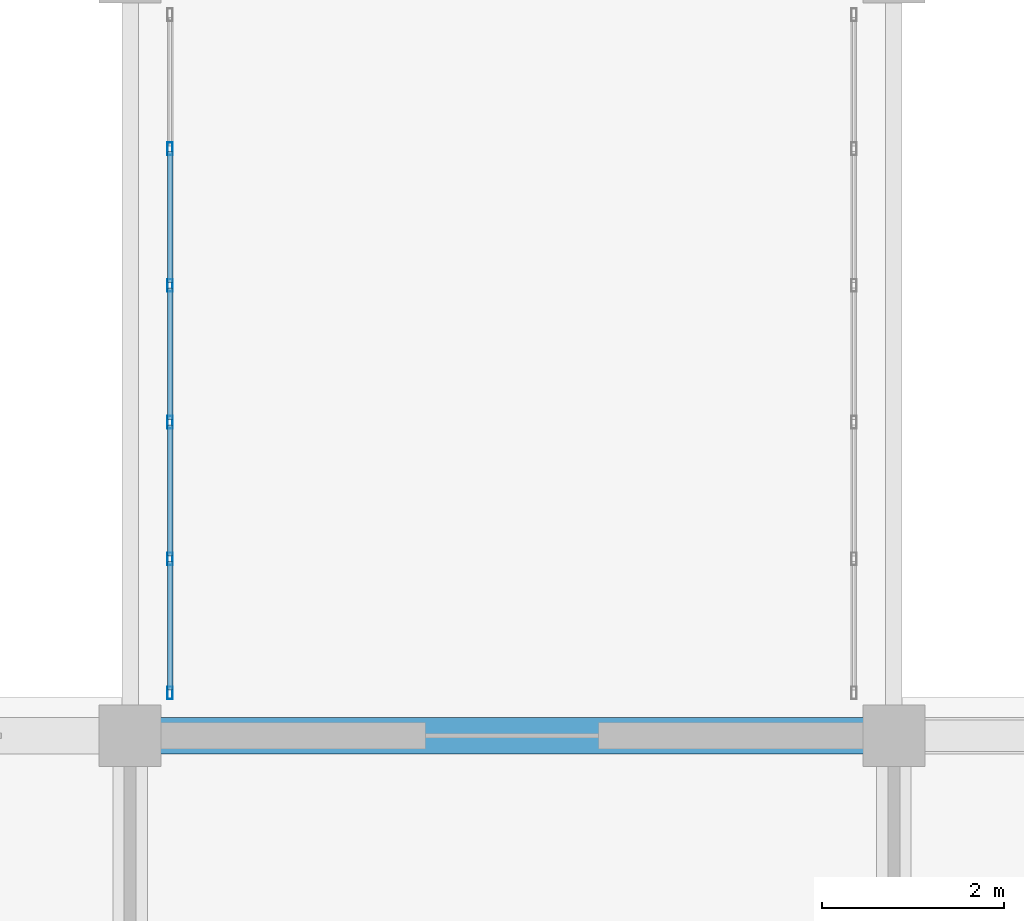
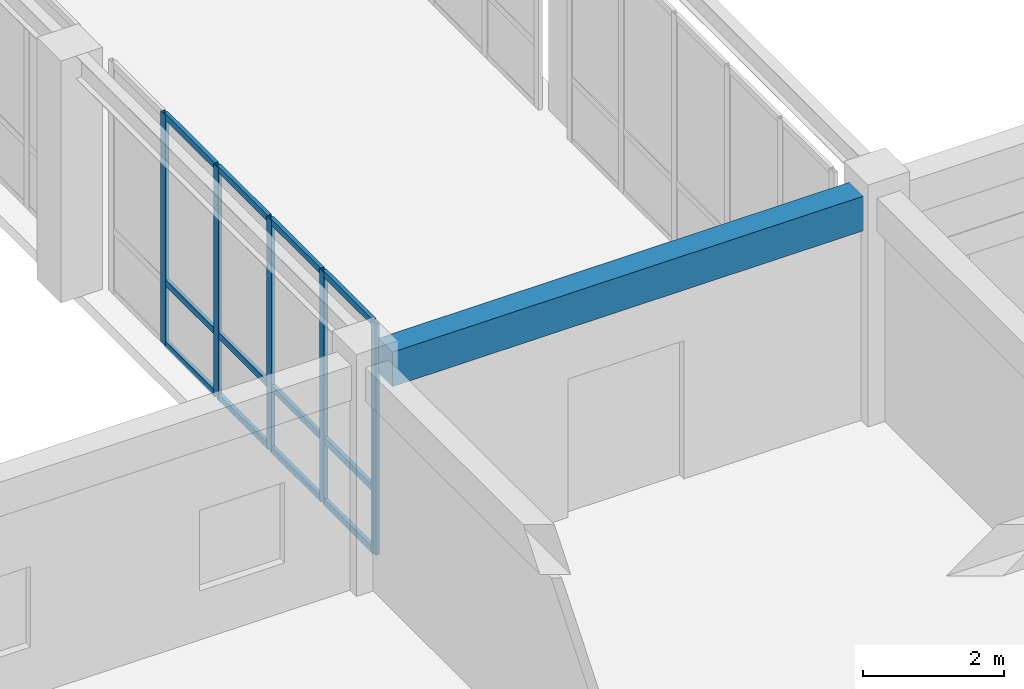
# One storey, part 27 of 140: 17 members, 1 beam, 1 element without a shape of its own.
"""IFC4 building model written with IfcOpenShell, lengths in metres."""

import ifcopenshell
import ifcopenshell.guid

model = None  # the IFC model being written
_history = None  # IfcOwnerHistory: only IFC2X3 demands one
_inside = {}  # id of a spatial element -> (the spatial element, [elements in it])
_under = {}  # id of a project, library or spatial element -> (it, [spatial elements below it])
_declared = {}  # id of a project -> (the project, [libraries it declares])
_typed = {}  # id of a type object -> (the type object, [elements of that type])
_made_of = {}  # id of a material, layer set ... -> (it, [elements and type objects made of it])


def new_model(schema):
    """Start an empty IFC model of exactly this schema.

    Asked for "IFC4X3", IfcOpenShell would pick the latest addendum, in which some entities
    have other attributes; the version numbers below select the first issue.
    IFC2X3 requires an IfcOwnerHistory on every rooted entity: one is made here for all.
    """
    global model, _history
    if schema == "IFC4X3":
        model = ifcopenshell.file(schema_version=(4, 3, 0, 0))
    else:
        model = ifcopenshell.file(schema=schema)
    _inside.clear()
    _under.clear()
    _declared.clear()
    _typed.clear()
    _made_of.clear()
    _history = None
    if model.schema == "IFC2X3":
        org = make("IfcOrganization", Name="unknown")
        user = make(
            "IfcPersonAndOrganization",
            ThePerson=make("IfcPerson", FamilyName="unknown"),
            TheOrganization=org,
        )
        app = make(
            "IfcApplication",
            ApplicationDeveloper=org,
            Version="unknown",
            ApplicationFullName="unknown",
            ApplicationIdentifier="unknown",
        )
        _history = make(
            "IfcOwnerHistory",
            OwningUser=user,
            OwningApplication=app,
            ChangeAction="ADDED",
            CreationDate=0,
        )
    return model


def make(cls, **values):
    """One entity of the class cls with the attributes given. An attribute that is None is left unset."""
    return model.create_entity(
        cls, **{name: value for name, value in values.items() if value is not None}
    )


def rooted(cls, **values):
    """An entity with a GlobalId (a new one), such as an element, a storey or a relation."""
    return make(cls, GlobalId=ifcopenshell.guid.new(), OwnerHistory=_history, **values)


def si_unit(unit_type, name, prefix=None):
    """IfcSIUnit, for example si_unit("LENGTHUNIT", "METRE", prefix="MILLI")."""
    return make("IfcSIUnit", UnitType=unit_type, Prefix=prefix, Name=name)


def assignment(units):
    """IfcUnitAssignment: the units of a project."""
    return None if units is None else make("IfcUnitAssignment", Units=units)


def point(xyz):
    """IfcCartesianPoint."""
    return None if xyz is None else make("IfcCartesianPoint", Coordinates=xyz)


def direction(xyz):
    """IfcDirection."""
    return None if xyz is None else make("IfcDirection", DirectionRatios=xyz)


def frame(location, z_axis=None, x_axis=None):
    """IfcAxis2Placement3D, a coordinate frame: its origin and axes. An axis left out is left unset."""
    return make(
        "IfcAxis2Placement3D",
        Location=point(location),
        Axis=direction(z_axis),
        RefDirection=direction(x_axis),
    )


def frame_2d(location, x_axis=None):
    """IfcAxis2Placement2D, a coordinate frame in the plane: its origin and x axis."""
    return make(
        "IfcAxis2Placement2D", Location=point(location), RefDirection=direction(x_axis)
    )


def origin():
    """The frame at (0, 0, 0) with its axes left unset."""
    return frame((0.0, 0.0, 0.0))


def origin_2d():
    """The frame at (0, 0) in the plane with its x axis left unset."""
    return frame_2d((0.0, 0.0))


def place(relative_to, where):
    """IfcLocalPlacement: puts the frame where relative to a parent placement (None: the world)."""
    return make(
        "IfcLocalPlacement", PlacementRelTo=relative_to, RelativePlacement=where
    )


def context(
    kind, dimensions, precision=None, world=None, true_north=None, identifier=None
):
    """IfcGeometricRepresentationContext, for example the 3D "Model" context."""
    return make(
        "IfcGeometricRepresentationContext",
        ContextIdentifier=identifier,
        ContextType=kind,
        CoordinateSpaceDimension=dimensions,
        Precision=precision,
        WorldCoordinateSystem=world,
        TrueNorth=true_north,
    )


def subcontext(parent, identifier, kind, view, scale=None):
    """IfcGeometricRepresentationSubContext, for example "Body" below "Model"."""
    return make(
        "IfcGeometricRepresentationSubContext",
        ContextIdentifier=identifier,
        ContextType=kind,
        ParentContext=parent,
        TargetScale=scale,
        TargetView=view,
    )


def project(units=None, contexts=None):
    """IfcProject with its units and contexts."""
    return rooted(
        "IfcProject",
        Name="project",
        RepresentationContexts=contexts,
        UnitsInContext=assignment(units),
    )


def spatial(cls, under=None, at=None, **own):
    """A site, building, storey or space (cls), placed at a placement, below another one or the project."""
    s = rooted(cls, ObjectPlacement=at, **own)
    if under is not None:
        _under.setdefault(under.id(), (under, []))[1].append(s)
    return s


def profile(cls, at=None, kind="AREA", **sizes):
    """A parametric profile (cls). Its sizes go by their IFC names, for example OverallWidth=200.0."""
    return make(cls, ProfileType=kind, Position=at, **sizes)


def rectangle(**sizes):
    """IfcRectangleProfileDef."""
    return profile("IfcRectangleProfileDef", **sizes)


def hollow_rectangle(**sizes):
    """IfcRectangleHollowProfileDef."""
    return profile("IfcRectangleHollowProfileDef", **sizes)


def extrude(swept, where, along, depth):
    """IfcExtrudedAreaSolid: the profile swept, set in the frame where, extruded along a direction by depth."""
    return make(
        "IfcExtrudedAreaSolid",
        SweptArea=swept,
        Position=where,
        ExtrudedDirection=direction(along),
        Depth=depth,
    )


def shape(context_of_items, identifier, shape_type, items):
    """IfcShapeRepresentation: the items that make up one representation, for example the "Body"."""
    return make(
        "IfcShapeRepresentation",
        ContextOfItems=context_of_items,
        RepresentationIdentifier=identifier,
        RepresentationType=shape_type,
        Items=items,
    )


def material(Name=None, Category=None):
    """IfcMaterial."""
    return make("IfcMaterial", Name=Name, Category=Category)


def layer(
    of_material, thickness, ventilated=None, Name=None, Category=None, Priority=None
):
    """IfcMaterialLayer: one layer of a wall or slab, of a material (None: an air gap)."""
    return make(
        "IfcMaterialLayer",
        Material=of_material,
        LayerThickness=thickness,
        IsVentilated=ventilated,
        Name=Name,
        Category=Category,
        Priority=Priority,
    )


def layer_set(layers, Name=None):
    """IfcMaterialLayerSet."""
    return make("IfcMaterialLayerSet", MaterialLayers=layers, LayerSetName=Name)


def material_profile(
    of_material, cross_section, Name=None, Category=None, Priority=None
):
    """IfcMaterialProfile: a cross section and its material."""
    return make(
        "IfcMaterialProfile",
        Name=Name,
        Material=of_material,
        Profile=cross_section,
        Priority=Priority,
        Category=Category,
    )


def profile_set(profiles, Name=None, composite=None):
    """IfcMaterialProfileSet."""
    return make(
        "IfcMaterialProfileSet",
        Name=Name,
        MaterialProfiles=profiles,
        CompositeProfile=composite,
    )


def made_of(thing, what):
    """Note that an element or type object is made of a material, layer set ...; save() writes the relation."""
    if what is not None:
        _made_of.setdefault(what.id(), (what, []))[1].append(thing)
    return thing


def type_object(cls, material=None, **own):
    """A type object (cls), such as IfcWallType, which elements share."""
    return made_of(rooted(cls, **own), material)


def element(
    cls,
    number,
    at=None,
    inside=None,
    cuts=None,
    type_object=None,
    material=None,
    context=None,
    identifier="Body",
    shape_type=None,
    held_by="IfcProductDefinitionShape",
    body=None,
    shapes=None,
    **own,
):
    """One element of the class cls, such as IfcWall. Its Tag is "e" and its number.

    at: its placement. inside: the storey or other place that contains it. cuts: it is an
    opening in that element (IfcRelVoidsElement). A single representation is given by context,
    identifier, shape_type and body (its items); several are given by shapes. held_by: the class
    of the entity that holds the representations. save() writes the other relations.
    """
    e = rooted(cls, Tag="e%d" % number, ObjectPlacement=at, **own)
    if body is not None:
        shapes = [shape(context, identifier, shape_type, body)]
    if shapes is not None:
        e.Representation = make(held_by, Representations=shapes)
    if inside is not None:
        _inside.setdefault(inside.id(), (inside, []))[1].append(e)
    if cuts is not None:
        rooted(
            "IfcRelVoidsElement", RelatingBuildingElement=cuts, RelatedOpeningElement=e
        )
    if type_object is not None:
        _typed.setdefault(type_object.id(), (type_object, []))[1].append(e)
    return made_of(e, material)


def aggregate(whole, parts):
    """IfcRelAggregates: a whole, such as a stair, and the parts it consists of."""
    return rooted("IfcRelAggregates", RelatingObject=whole, RelatedObjects=parts)


def save(model, path):
    """Write the relations noted so far, then the file.

    IfcRelAggregates (storeys below a building ...), IfcRelContainedInSpatialStructure (elements
    in a storey), IfcRelDefinesByType, IfcRelAssociatesMaterial and IfcRelDeclares: one each for
    every whole, place, type object, material and project.
    """
    for whole, parts in _under.values():
        aggregate(whole, parts)
    for where, things in _inside.values():
        rooted(
            "IfcRelContainedInSpatialStructure",
            RelatedElements=things,
            RelatingStructure=where,
        )
    for kind, things in _typed.values():
        rooted("IfcRelDefinesByType", RelatedObjects=things, RelatingType=kind)
    for what, things in _made_of.values():
        rooted("IfcRelAssociatesMaterial", RelatedObjects=things, RelatingMaterial=what)
    for by, libraries in _declared.values():
        rooted("IfcRelDeclares", RelatingContext=by, RelatedDefinitions=libraries)
    model.write(path)


model = new_model("IFC4")

# Units and contexts
model_context = context("Model", 3, precision=1e-05, world=origin(), true_north=direction((0.0, 1.0)))
body_context = subcontext(model_context, "Body", "Model", "MODEL_VIEW")
ifc_project = project(units=[si_unit("LENGTHUNIT", "METRE"), si_unit("AREAUNIT", "SQUARE_METRE"), si_unit("VOLUMEUNIT", "CUBIC_METRE"), si_unit("PLANEANGLEUNIT", "RADIAN"), si_unit("MASSUNIT", "GRAM", prefix="KILO")], contexts=[model_context])

# Site, building, storey
site_placement = place(None, origin())
site = spatial("IfcSite", under=ifc_project, at=site_placement, CompositionType="ELEMENT")
building_placement = place(site_placement, origin())
building = spatial("IfcBuilding", under=site, at=building_placement, Name="Trelvath General Hospital", CompositionType="ELEMENT")
storey_placement = place(building_placement, frame((0.0, 0.0, 16.199951171875)))
storey = spatial("IfcBuildingStorey", under=building, at=storey_placement, Name="L04", CompositionType="ELEMENT", Elevation=16.199951171875)

# Beam
ifc_material_1 = material(Name="Concrete C35/45", Category="concrete")
ifc_material_profile_1 = material_profile(ifc_material_1, rectangle(XDim=0.39990234375, YDim=0.60009765625, at=origin_2d()), Name="RCB400x600")
ifc_profile_set_1 = profile_set([ifc_material_profile_1], Name="Concrete C35/45")
beam_type = type_object("IfcBeamType", Name="Beam RC400x600", PredefinedType="BEAM", material=ifc_profile_set_1)
beam_placement = place(storey_placement, frame((75.93505859375, 25.199951171875, 3.6201171875), z_axis=(1.0, 0.0, 0.0), x_axis=(0.0, 1.0, 0.0)))
element("IfcBeam", 1, at=beam_placement, inside=storey, type_object=beam_type, Name="Grid Beam BX-409D", PredefinedType="BEAM", context=body_context, shape_type="SweptSolid", body=[
    extrude(rectangle(XDim=0.39990234375, YDim=0.60009765625, at=origin_2d()), origin(), (0.0, 0.0, 1.0), 7.72998046875),
])

# Curtain wall, members
ifc_material_2 = material(Name="Anodised aluminium and low-E glass", Category="aluminium")
ifc_layer = layer(ifc_material_2, 0.139892578125)
ifc_layer_set = layer_set([ifc_layer], Name="Anodised aluminium and low-E glass")
curtain_wall_type = type_object("IfcCurtainWallType", Name="CW Bridge 752 401", PredefinedType="USERDEFINED", material=ifc_layer_set)
curtain_wall_placement = place(storey_placement, origin())
curtain_wall = element("IfcCurtainWall", 2, at=curtain_wall_placement, inside=storey, type_object=curtain_wall_type, Name="Glazed Bridge Curtain Wall BRG-S-C W L04", ObjectType="Unitised Glazed Curtain Wall", PredefinedType="USERDEFINED")
ifc_material_3 = material(Name="Anodised aluminium", Category="aluminium")
ifc_material_profile_2 = material_profile(ifc_material_3, hollow_rectangle(XDim=0.06005859375, YDim=0.139892578125, WallThickness=0.00390625, at=origin_2d()), Name="RHS60x140x4")
ifc_profile_set_2 = profile_set([ifc_material_profile_2], Name="Anodised aluminium")
member_type_1 = type_object("IfcMemberType", Name="CurtainMullion 60x140", PredefinedType="MULLION", material=ifc_profile_set_2)
member_1_placement = place(storey_placement, frame((76.0400390625, 25.669921875, 0.0), z_axis=(0.0, 0.0, 1.0), x_axis=(-1.0, 0.0, 0.0)))
member_1 = element("IfcMember", 3, at=member_1_placement, type_object=member_type_1, Name="CW-302 mullion 1", PredefinedType="MULLION", context=body_context, shape_type="SweptSolid", body=[
    extrude(hollow_rectangle(XDim=0.06005859375, YDim=0.139892578125, WallThickness=0.00390625, at=origin_2d()), origin(), (0.0, 0.0, 1.0), 4.010009765625),
])
member_2_placement = place(storey_placement, frame((76.0400390625, 27.14404296875, 0.0), z_axis=(0.0, 0.0, 1.0), x_axis=(-1.0, 0.0, 0.0)))
member_2 = element("IfcMember", 4, at=member_2_placement, type_object=member_type_1, Name="CW-302 mullion 2", PredefinedType="MULLION", context=body_context, shape_type="SweptSolid", body=[
    extrude(hollow_rectangle(XDim=0.06005859375, YDim=0.139892578125, WallThickness=0.00390625, at=origin_2d()), origin(), (0.0, 0.0, 1.0), 4.010009765625),
])
member_3_placement = place(storey_placement, frame((76.0400390625, 28.64794921875, 0.0), z_axis=(0.0, 0.0, 1.0), x_axis=(-1.0, 0.0, 0.0)))
member_3 = element("IfcMember", 5, at=member_3_placement, type_object=member_type_1, Name="CW-302 mullion 3", PredefinedType="MULLION", context=body_context, shape_type="SweptSolid", body=[
    extrude(hollow_rectangle(XDim=0.06005859375, YDim=0.139892578125, WallThickness=0.00390625, at=origin_2d()), origin(), (0.0, 0.0, 1.0), 4.010009765625),
])
member_4_placement = place(storey_placement, frame((76.0400390625, 30.152099609375, 0.0), z_axis=(0.0, 0.0, 1.0), x_axis=(-1.0, 0.0, 0.0)))
member_4 = element("IfcMember", 6, at=member_4_placement, type_object=member_type_1, Name="CW-302 mullion 4", PredefinedType="MULLION", context=body_context, shape_type="SweptSolid", body=[
    extrude(hollow_rectangle(XDim=0.06005859375, YDim=0.139892578125, WallThickness=0.00390625, at=origin_2d()), origin(), (0.0, 0.0, 1.0), 4.010009765625),
])
member_5_placement = place(storey_placement, frame((76.0400390625, 31.656005859375, 0.0), z_axis=(0.0, 0.0, 1.0), x_axis=(-1.0, 0.0, 0.0)))
member_5 = element("IfcMember", 7, at=member_5_placement, type_object=member_type_1, Name="CW-302 mullion 5", PredefinedType="MULLION", context=body_context, shape_type="SweptSolid", body=[
    extrude(hollow_rectangle(XDim=0.06005859375, YDim=0.139892578125, WallThickness=0.00390625, at=origin_2d()), origin(), (0.0, 0.0, 1.0), 4.010009765625),
])
ifc_material_4 = material(Name="Anodised aluminium", Category="aluminium")
ifc_material_profile_3 = material_profile(ifc_material_4, hollow_rectangle(XDim=0.06005859375, YDim=0.110107421875, WallThickness=0.00390625, at=origin_2d()), Name="RHS60x110x4")
ifc_profile_set_3 = profile_set([ifc_material_profile_3], Name="Anodised aluminium")
member_type_2 = type_object("IfcMemberType", Name="CurtainTransom 60x110", PredefinedType="USERDEFINED", material=ifc_profile_set_3)
member_6_placement = place(storey_placement, frame((76.0400390625, 25.699951171875, 0.030029296875), z_axis=(0.0, 1.0, 0.0), x_axis=(-1.0, 0.0, 0.0)))
member_6 = element("IfcMember", 8, at=member_6_placement, type_object=member_type_2, Name="CW-302 transom 1.1", ObjectType="TRANSOM", PredefinedType="USERDEFINED", context=body_context, shape_type="SweptSolid", body=[
    extrude(hollow_rectangle(XDim=0.06005859375, YDim=0.110107421875, WallThickness=0.00390625, at=origin_2d()), origin(), (0.0, 0.0, 1.0), 1.4140625),
])
member_7_placement = place(storey_placement, frame((76.0400390625, 25.699951171875, 1.10009765625), z_axis=(0.0, 1.0, 0.0), x_axis=(-1.0, 0.0, 0.0)))
member_7 = element("IfcMember", 9, at=member_7_placement, type_object=member_type_2, Name="CW-302 transom 1.2", ObjectType="TRANSOM", PredefinedType="USERDEFINED", context=body_context, shape_type="SweptSolid", body=[
    extrude(hollow_rectangle(XDim=0.06005859375, YDim=0.110107421875, WallThickness=0.00390625, at=origin_2d()), origin(), (0.0, 0.0, 1.0), 1.4140625),
])
member_8_placement = place(storey_placement, frame((76.0400390625, 25.699951171875, 3.97998046875), z_axis=(0.0, 1.0, 0.0), x_axis=(-1.0, 0.0, 0.0)))
member_8 = element("IfcMember", 10, at=member_8_placement, type_object=member_type_2, Name="CW-302 transom 1.3", ObjectType="TRANSOM", PredefinedType="USERDEFINED", context=body_context, shape_type="SweptSolid", body=[
    extrude(hollow_rectangle(XDim=0.06005859375, YDim=0.110107421875, WallThickness=0.00390625, at=origin_2d()), origin(), (0.0, 0.0, 1.0), 1.4140625),
])
member_9_placement = place(storey_placement, frame((76.0400390625, 27.174072265625, 0.030029296875), z_axis=(0.0, 1.0, 0.0), x_axis=(-1.0, 0.0, 0.0)))
member_9 = element("IfcMember", 11, at=member_9_placement, type_object=member_type_2, Name="CW-302 transom 2.1", ObjectType="TRANSOM", PredefinedType="USERDEFINED", context=body_context, shape_type="SweptSolid", body=[
    extrude(hollow_rectangle(XDim=0.06005859375, YDim=0.110107421875, WallThickness=0.00390625, at=origin_2d()), origin(), (0.0, 0.0, 1.0), 1.44384765625),
])
member_10_placement = place(storey_placement, frame((76.0400390625, 27.174072265625, 1.10009765625), z_axis=(0.0, 1.0, 0.0), x_axis=(-1.0, 0.0, 0.0)))
member_10 = element("IfcMember", 12, at=member_10_placement, type_object=member_type_2, Name="CW-302 transom 2.2", ObjectType="TRANSOM", PredefinedType="USERDEFINED", context=body_context, shape_type="SweptSolid", body=[
    extrude(hollow_rectangle(XDim=0.06005859375, YDim=0.110107421875, WallThickness=0.00390625, at=origin_2d()), origin(), (0.0, 0.0, 1.0), 1.44384765625),
])
member_11_placement = place(storey_placement, frame((76.0400390625, 27.174072265625, 3.97998046875), z_axis=(0.0, 1.0, 0.0), x_axis=(-1.0, 0.0, 0.0)))
member_11 = element("IfcMember", 13, at=member_11_placement, type_object=member_type_2, Name="CW-302 transom 2.3", ObjectType="TRANSOM", PredefinedType="USERDEFINED", context=body_context, shape_type="SweptSolid", body=[
    extrude(hollow_rectangle(XDim=0.06005859375, YDim=0.110107421875, WallThickness=0.00390625, at=origin_2d()), origin(), (0.0, 0.0, 1.0), 1.44384765625),
])
member_12_placement = place(storey_placement, frame((76.0400390625, 28.677978515625, 0.030029296875), z_axis=(0.0, 1.0, 0.0), x_axis=(-1.0, 0.0, 0.0)))
member_12 = element("IfcMember", 14, at=member_12_placement, type_object=member_type_2, Name="CW-302 transom 3.1", ObjectType="TRANSOM", PredefinedType="USERDEFINED", context=body_context, shape_type="SweptSolid", body=[
    extrude(hollow_rectangle(XDim=0.06005859375, YDim=0.110107421875, WallThickness=0.00390625, at=origin_2d()), origin(), (0.0, 0.0, 1.0), 1.444091796875),
])
member_13_placement = place(storey_placement, frame((76.0400390625, 28.677978515625, 1.10009765625), z_axis=(0.0, 1.0, 0.0), x_axis=(-1.0, 0.0, 0.0)))
member_13 = element("IfcMember", 15, at=member_13_placement, type_object=member_type_2, Name="CW-302 transom 3.2", ObjectType="TRANSOM", PredefinedType="USERDEFINED", context=body_context, shape_type="SweptSolid", body=[
    extrude(hollow_rectangle(XDim=0.06005859375, YDim=0.110107421875, WallThickness=0.00390625, at=origin_2d()), origin(), (0.0, 0.0, 1.0), 1.444091796875),
])
member_14_placement = place(storey_placement, frame((76.0400390625, 28.677978515625, 3.97998046875), z_axis=(0.0, 1.0, 0.0), x_axis=(-1.0, 0.0, 0.0)))
member_14 = element("IfcMember", 16, at=member_14_placement, type_object=member_type_2, Name="CW-302 transom 3.3", ObjectType="TRANSOM", PredefinedType="USERDEFINED", context=body_context, shape_type="SweptSolid", body=[
    extrude(hollow_rectangle(XDim=0.06005859375, YDim=0.110107421875, WallThickness=0.00390625, at=origin_2d()), origin(), (0.0, 0.0, 1.0), 1.444091796875),
])
member_15_placement = place(storey_placement, frame((76.0400390625, 30.181884765625, 0.030029296875), z_axis=(0.0, 1.0, 0.0), x_axis=(-1.0, 0.0, 0.0)))
member_15 = element("IfcMember", 17, at=member_15_placement, type_object=member_type_2, Name="CW-302 transom 4.1", ObjectType="TRANSOM", PredefinedType="USERDEFINED", context=body_context, shape_type="SweptSolid", body=[
    extrude(hollow_rectangle(XDim=0.06005859375, YDim=0.110107421875, WallThickness=0.00390625, at=origin_2d()), origin(), (0.0, 0.0, 1.0), 1.444091796875),
])
member_16_placement = place(storey_placement, frame((76.0400390625, 30.181884765625, 1.10009765625), z_axis=(0.0, 1.0, 0.0), x_axis=(-1.0, 0.0, 0.0)))
member_16 = element("IfcMember", 18, at=member_16_placement, type_object=member_type_2, Name="CW-302 transom 4.2", ObjectType="TRANSOM", PredefinedType="USERDEFINED", context=body_context, shape_type="SweptSolid", body=[
    extrude(hollow_rectangle(XDim=0.06005859375, YDim=0.110107421875, WallThickness=0.00390625, at=origin_2d()), origin(), (0.0, 0.0, 1.0), 1.444091796875),
])
member_17_placement = place(storey_placement, frame((76.0400390625, 30.181884765625, 3.97998046875), z_axis=(0.0, 1.0, 0.0), x_axis=(-1.0, 0.0, 0.0)))
member_17 = element("IfcMember", 19, at=member_17_placement, type_object=member_type_2, Name="CW-302 transom 4.3", ObjectType="TRANSOM", PredefinedType="USERDEFINED", context=body_context, shape_type="SweptSolid", body=[
    extrude(hollow_rectangle(XDim=0.06005859375, YDim=0.110107421875, WallThickness=0.00390625, at=origin_2d()), origin(), (0.0, 0.0, 1.0), 1.444091796875),
])
aggregate(curtain_wall, [member_1, member_2, member_3, member_4, member_5, member_6, member_7, member_8, member_9, member_10, member_11, member_12, member_13, member_14, member_15, member_16, member_17])

save(model, "model.ifc")
